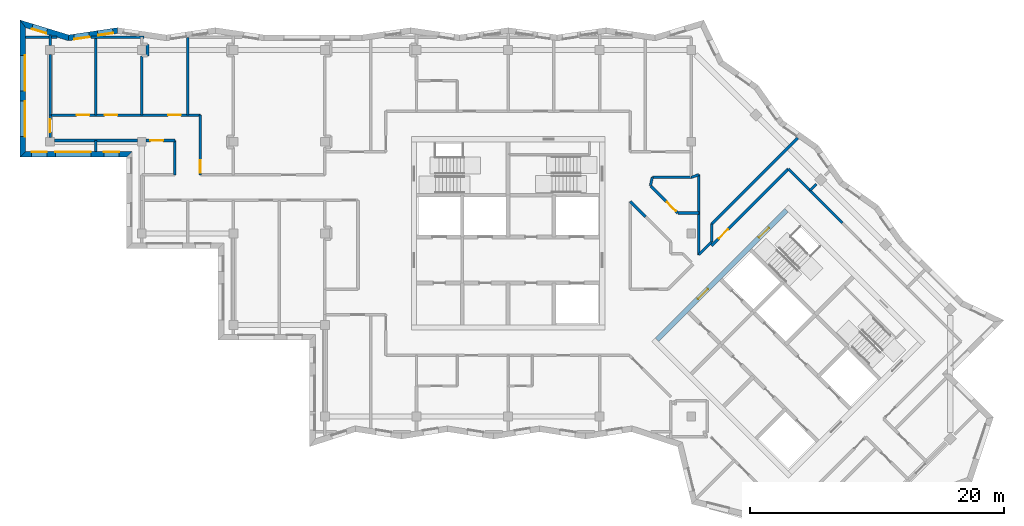
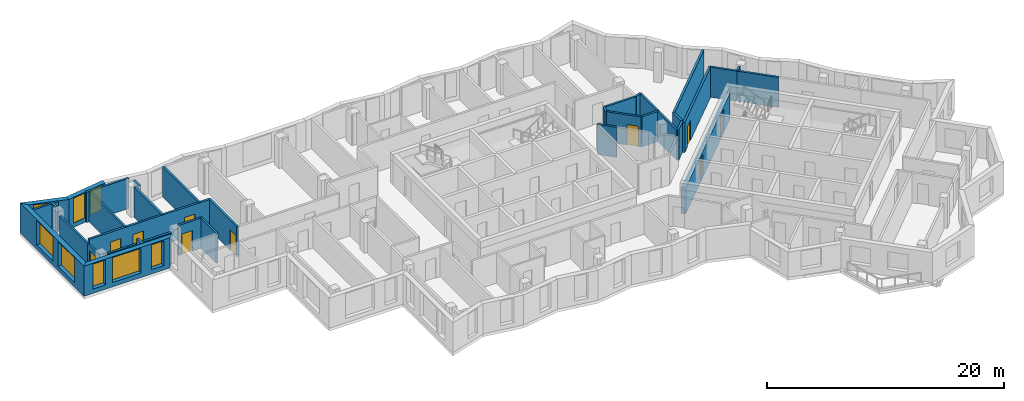
# One storey, part 5 of 12: 35 walls, 10 doors, 8 windows, 18 openings.
"""IFC4 building model written with IfcOpenShell, lengths in metres."""

from ifc_helpers import new_model, si_unit, direction, frame, frame_2d, origin, place, context, subcontext, project, spatial, polyline, rectangle, outline, extrude, material, layer, layer_set, type_object, element, fill, save


model = new_model("IFC4")

# Units and contexts
model_context = context("Model", 3, precision=1e-05, world=origin(), true_north=direction((0.0, 1.0)))
body_context = subcontext(model_context, "Body", "Model", "MODEL_VIEW")
ifc_project = project(units=[si_unit("LENGTHUNIT", "METRE"), si_unit("AREAUNIT", "SQUARE_METRE"), si_unit("VOLUMEUNIT", "CUBIC_METRE"), si_unit("PLANEANGLEUNIT", "RADIAN"), si_unit("MASSUNIT", "GRAM", prefix="KILO")], contexts=[model_context])

# Site, building, storey
site_placement = place(None, origin())
site = spatial("IfcSite", under=ifc_project, at=site_placement, CompositionType="ELEMENT")
building_placement = place(site_placement, origin())
building = spatial("IfcBuilding", under=site, at=building_placement, Name="Windrow Commons", CompositionType="ELEMENT")
storey_placement = place(building_placement, frame((0.0, 0.0, 274.4)))
storey = spatial("IfcBuildingStorey", under=building, at=storey_placement, Name="L75", CompositionType="ELEMENT", Elevation=274.4)

# Wall, openings, windows
ifc_material_1 = material(Name="Brick masonry, red clay brick", Category="masonry")
ifc_layer_1 = layer(ifc_material_1, 0.45)
ifc_layer_set_1 = layer_set([ifc_layer_1], Name="Brick facade wall 450")
wall_type_1 = type_object("IfcWallType", Name="Brick facade wall 450", PredefinedType="SOLIDWALL", material=ifc_layer_set_1)
wall_1_placement = place(storey_placement, frame((34.1072, 73.5445, 0.0), z_axis=(0.0, 0.0, 1.0), x_axis=(-0.9890865204, -0.1473358586, 0.0)))
wall_1 = element("IfcWall", 1, at=wall_1_placement, inside=storey, type_object=wall_type_1, Name="Brick facade wall L75 27", PredefinedType="SOLIDWALL", context=body_context, shape_type="SweptSolid", body=[
    extrude(outline(polyline([(-0.0335, -0.225), (3.8485, -0.225), (3.9501, 0.225), (0.0335, 0.225), (-0.0335, -0.225)])), origin(), (0.0, 0.0, 1.0), 3.1),
])
opening_1_placement = place(wall_1_placement, frame((0.3798, 0.0, 0.45)))
opening_1 = element("IfcOpeningElement", 2, at=opening_1_placement, cuts=wall_1, Name="Opening W7F", PredefinedType="OPENING", context=body_context, shape_type="SweptSolid", body=[
    extrude(rectangle(XDim=1.2, YDim=2.55, at=frame_2d((0.6, 1.275))), frame((0.0, 0.235, 0.0), z_axis=(0.0, -1.0, 0.0), x_axis=(1.0, 0.0, 0.0)), (0.0, 0.0, 1.0), 0.47),
])
opening_2_placement = place(wall_1_placement, frame((2.2627, 0.0, 0.45)))
opening_2 = element("IfcOpeningElement", 3, at=opening_2_placement, cuts=wall_1, Name="Opening W7F", PredefinedType="OPENING", context=body_context, shape_type="SweptSolid", body=[
    extrude(rectangle(XDim=1.2, YDim=2.55, at=frame_2d((0.6, 1.275))), frame((0.0, 0.235, 0.0), z_axis=(0.0, -1.0, 0.0), x_axis=(1.0, 0.0, 0.0)), (0.0, 0.0, 1.0), 0.47),
])
ifc_material_2 = material(Name="Clear float glass in anodised aluminium frame", Category="aluminium")
window_type_1 = type_object("IfcWindowType", Name="Window W7 notch 1200x2550", PartitioningType="SINGLE_PANEL", PredefinedType="WINDOW", material=ifc_material_2)
window_1_placement = place(opening_1_placement, origin())
window_1 = element("IfcWindow", 4, at=window_1_placement, inside=storey, type_object=window_type_1, Name="Window L75 27.1", OverallHeight=2.55, OverallWidth=1.2, PartitioningType="SINGLE_PANEL", PredefinedType="WINDOW", context=body_context, shape_type="SweptSolid", body=[
    extrude(rectangle(XDim=1.2, YDim=2.55, at=frame_2d((0.6, 1.275))), frame((0.0, 0.175, 0.0), z_axis=(0.0, -1.0, 0.0), x_axis=(1.0, 0.0, 0.0)), (0.0, 0.0, 1.0), 0.06),
])
fill(opening_1, window_1)
window_2_placement = place(opening_2_placement, origin())
window_2 = element("IfcWindow", 5, at=window_2_placement, inside=storey, type_object=window_type_1, Name="Window L75 27.2", OverallHeight=2.55, OverallWidth=1.2, PartitioningType="SINGLE_PANEL", PredefinedType="WINDOW", context=body_context, shape_type="SweptSolid", body=[
    extrude(rectangle(XDim=1.2, YDim=2.55, at=frame_2d((0.6, 1.275))), frame((0.0, 0.205, 0.0), z_axis=(0.0, -1.0, 0.0), x_axis=(1.0, 0.0, 0.0)), (0.0, 0.0, 1.0), 0.06),
])
fill(opening_2, window_2)

# Wall, opening, window
wall_2_placement = place(storey_placement, frame((30.2505, 72.97, 0.0), z_axis=(0.0, 0.0, 1.0), x_axis=(-0.9564359426, 0.2919422678, 0.0)))
wall_2 = element("IfcWall", 6, at=wall_2_placement, inside=storey, type_object=wall_type_1, Name="Brick facade wall L75 28", PredefinedType="SOLIDWALL", context=body_context, shape_type="SweptSolid", body=[
    extrude(outline(polyline([(0.0508, -0.225), (4.0653, -0.225), (3.4574, 0.225), (-0.0508, 0.225), (0.0508, -0.225)])), origin(), (0.0, 0.0, 1.0), 3.1),
])
opening_3_placement = place(wall_2_placement, frame((1.787, 0.0, 0.45)))
opening_3 = element("IfcOpeningElement", 7, at=opening_3_placement, cuts=wall_2, Name="Opening W7F", PredefinedType="OPENING", context=body_context, shape_type="SweptSolid", body=[
    extrude(rectangle(XDim=1.2, YDim=2.55, at=frame_2d((0.6, 1.275))), frame((0.0, 0.235, 0.0), z_axis=(0.0, -1.0, 0.0), x_axis=(1.0, 0.0, 0.0)), (0.0, 0.0, 1.0), 0.47),
])
window_3_placement = place(opening_3_placement, origin())
window_3 = element("IfcWindow", 8, at=window_3_placement, inside=storey, type_object=window_type_1, Name="Window L75 28.1", OverallHeight=2.55, OverallWidth=1.2, PartitioningType="SINGLE_PANEL", PredefinedType="WINDOW", context=body_context, shape_type="SweptSolid", body=[
    extrude(rectangle(XDim=1.2, YDim=2.55, at=frame_2d((0.6, 1.275))), frame((0.0, 0.205, 0.0), z_axis=(0.0, -1.0, 0.0), x_axis=(1.0, 0.0, 0.0)), (0.0, 0.0, 1.0), 0.06),
])
fill(opening_3, window_3)

# Wall, openings, windows
wall_3_placement = place(storey_placement, frame((26.653, 74.0681, 0.0), z_axis=(0.0, 0.0, 1.0), x_axis=(0.0, -1.0, 0.0)))
wall_3 = element("IfcWall", 9, at=wall_3_placement, inside=storey, type_object=wall_type_1, Name="Brick facade wall L75 29", PredefinedType="SOLIDWALL", context=body_context, shape_type="SweptSolid", body=[
    extrude(outline(polyline([(-0.3039, -0.225), (10.4681, -0.225), (10.0181, 0.225), (0.3039, 0.225), (-0.3039, -0.225)])), origin(), (0.0, 0.0, 1.0), 3.1),
])
opening_4_placement = place(wall_3_placement, frame((2.4681, 0.0, 0.45)))
opening_4 = element("IfcOpeningElement", 10, at=opening_4_placement, cuts=wall_3, Name="Opening W1V", PredefinedType="OPENING", context=body_context, shape_type="SweptSolid", body=[
    extrude(rectangle(XDim=2.8, YDim=2.55, at=frame_2d((1.4, 1.275))), frame((0.0, 0.235, 0.0), z_axis=(0.0, -1.0, 0.0), x_axis=(1.0, 0.0, 0.0)), (0.0, 0.0, 1.0), 0.47),
])
opening_5_placement = place(wall_3_placement, frame((6.0681, 0.0, 0.45)))
opening_5 = element("IfcOpeningElement", 11, at=opening_5_placement, cuts=wall_3, Name="Opening W1V", PredefinedType="OPENING", context=body_context, shape_type="SweptSolid", body=[
    extrude(rectangle(XDim=2.8, YDim=2.55, at=frame_2d((1.4, 1.275))), frame((0.0, 0.235, 0.0), z_axis=(0.0, -1.0, 0.0), x_axis=(1.0, 0.0, 0.0)), (0.0, 0.0, 1.0), 0.47),
])
ifc_material_3 = material(Name="Clear float glass in anodised aluminium frame", Category="aluminium")
window_type_2 = type_object("IfcWindowType", Name="Window W1V bedroom 2800x2550", PartitioningType="SINGLE_PANEL", PredefinedType="WINDOW", material=ifc_material_3)
window_4_placement = place(opening_4_placement, origin())
window_4 = element("IfcWindow", 12, at=window_4_placement, inside=storey, type_object=window_type_2, Name="Window L75 29.1", OverallHeight=2.55, OverallWidth=2.8, PartitioningType="SINGLE_PANEL", PredefinedType="WINDOW", context=body_context, shape_type="SweptSolid", body=[
    extrude(rectangle(XDim=2.8, YDim=2.55, at=frame_2d((1.4, 1.275))), frame((0.0, 0.205, 0.0), z_axis=(0.0, -1.0, 0.0), x_axis=(1.0, 0.0, 0.0)), (0.0, 0.0, 1.0), 0.06),
])
fill(opening_4, window_4)
window_5_placement = place(opening_5_placement, origin())
window_5 = element("IfcWindow", 13, at=window_5_placement, inside=storey, type_object=window_type_2, Name="Window L75 29.2", OverallHeight=2.55, OverallWidth=2.8, PartitioningType="SINGLE_PANEL", PredefinedType="WINDOW", context=body_context, shape_type="SweptSolid", body=[
    extrude(rectangle(XDim=2.8, YDim=2.55, at=frame_2d((1.4, 1.275))), frame((0.0, 0.205, 0.0), z_axis=(0.0, -1.0, 0.0), x_axis=(1.0, 0.0, 0.0)), (0.0, 0.0, 1.0), 0.06),
])
fill(opening_5, window_5)

wall_4_placement = place(storey_placement, frame((26.653, 63.825, 0.0), z_axis=(0.0, 0.0, 1.0), x_axis=(1.0, 0.0, 0.0)))
wall_4 = element("IfcWall", 14, at=wall_4_placement, inside=storey, type_object=wall_type_1, Name="Brick facade wall L75 30", PredefinedType="SOLIDWALL", context=body_context, shape_type="SweptSolid", body=[
    extrude(outline(polyline([(-0.225, -0.225), (8.147, -0.225), (8.597, 0.225), (0.225, 0.225), (-0.225, -0.225)])), origin(), (0.0, 0.0, 1.0), 3.1),
])
opening_6_placement = place(wall_4_placement, frame((2.547, 0.0, 0.45)))
opening_6 = element("IfcOpeningElement", 15, at=opening_6_placement, cuts=wall_4, Name="Opening W1V", PredefinedType="OPENING", context=body_context, shape_type="SweptSolid", body=[
    extrude(rectangle(XDim=2.8, YDim=2.55, at=frame_2d((1.4, 1.275))), frame((0.0, 0.235, 0.0), z_axis=(0.0, -1.0, 0.0), x_axis=(1.0, 0.0, 0.0)), (0.0, 0.0, 1.0), 0.47),
])
opening_7_placement = place(wall_4_placement, frame((0.686, 0.0, 0.45)))
opening_7 = element("IfcOpeningElement", 16, at=opening_7_placement, cuts=wall_4, Name="Opening W7F", PredefinedType="OPENING", context=body_context, shape_type="SweptSolid", body=[
    extrude(rectangle(XDim=1.2, YDim=2.55, at=frame_2d((0.6, 1.275))), frame((0.0, 0.235, 0.0), z_axis=(0.0, -1.0, 0.0), x_axis=(1.0, 0.0, 0.0)), (0.0, 0.0, 1.0), 0.47),
])
opening_8_placement = place(wall_4_placement, frame((6.3595, 0.0, 0.45)))
opening_8 = element("IfcOpeningElement", 17, at=opening_8_placement, cuts=wall_4, Name="Opening W7F", PredefinedType="OPENING", context=body_context, shape_type="SweptSolid", body=[
    extrude(rectangle(XDim=1.2, YDim=2.55, at=frame_2d((0.6, 1.275))), frame((0.0, 0.235, 0.0), z_axis=(0.0, -1.0, 0.0), x_axis=(1.0, 0.0, 0.0)), (0.0, 0.0, 1.0), 0.47),
])
window_6_placement = place(opening_6_placement, origin())
window_6 = element("IfcWindow", 18, at=window_6_placement, inside=storey, type_object=window_type_2, Name="Window L75 30.1", OverallHeight=2.55, OverallWidth=2.8, PartitioningType="SINGLE_PANEL", PredefinedType="WINDOW", context=body_context, shape_type="SweptSolid", body=[
    extrude(rectangle(XDim=2.8, YDim=2.55, at=frame_2d((1.4, 1.275))), frame((0.0, 0.205, 0.0), z_axis=(0.0, -1.0, 0.0), x_axis=(1.0, 0.0, 0.0)), (0.0, 0.0, 1.0), 0.06),
])
fill(opening_6, window_6)
window_7_placement = place(opening_7_placement, origin())
window_7 = element("IfcWindow", 19, at=window_7_placement, inside=storey, type_object=window_type_1, Name="Window L75 30.2", OverallHeight=2.55, OverallWidth=1.2, PartitioningType="SINGLE_PANEL", PredefinedType="WINDOW", context=body_context, shape_type="SweptSolid", body=[
    extrude(rectangle(XDim=1.2, YDim=2.55, at=frame_2d((0.6, 1.275))), frame((0.0, 0.205, 0.0), z_axis=(0.0, -1.0, 0.0), x_axis=(1.0, 0.0, 0.0)), (0.0, 0.0, 1.0), 0.06),
])
fill(opening_7, window_7)
window_8_placement = place(opening_8_placement, origin())
window_8 = element("IfcWindow", 20, at=window_8_placement, inside=storey, type_object=window_type_1, Name="Window L75 30.3", OverallHeight=2.55, OverallWidth=1.2, PartitioningType="SINGLE_PANEL", PredefinedType="WINDOW", context=body_context, shape_type="SweptSolid", body=[
    extrude(rectangle(XDim=1.2, YDim=2.55, at=frame_2d((0.6, 1.275))), frame((0.0, 0.205, 0.0), z_axis=(0.0, -1.0, 0.0), x_axis=(1.0, 0.0, 0.0)), (0.0, 0.0, 1.0), 0.06),
])
fill(opening_8, window_8)

# Wall, openings, doors
ifc_material_4 = material(Name="Blockwork partition", Category="masonry")
ifc_layer_2 = layer(ifc_material_4, 0.2)
ifc_layer_set_2 = layer_set([ifc_layer_2], Name="IW-CORRIDOR-200")
wall_type_2 = type_object("IfcWallType", Name="IW-CORRIDOR-200", PredefinedType="PARTITIONING", material=ifc_layer_set_2)
wall_5_placement = place(storey_placement, frame((28.8, 66.9, 0.0), z_axis=(0.0, 0.0, 1.0), x_axis=(1.0, 0.0, 0.0)))
wall_5 = element("IfcWall", 21, at=wall_5_placement, inside=storey, type_object=wall_type_2, Name="W-L75-W003", PredefinedType="PARTITIONING", context=body_context, shape_type="SweptSolid", body=[
    extrude(rectangle(XDim=11.8, YDim=0.2, at=frame_2d((5.9, 0.0))), origin(), (0.0, 0.0, 1.0), 3.1),
])
opening_9_placement = place(wall_5_placement, frame((2.075, 0.0, 0.0)))
opening_9 = element("IfcOpeningElement", 22, at=opening_9_placement, cuts=wall_5, Name="Opening D310F", PredefinedType="OPENING", context=body_context, shape_type="SweptSolid", body=[
    extrude(rectangle(XDim=1.0, YDim=2.1, at=frame_2d((0.5, 1.05))), frame((0.0, 0.11, 0.0), z_axis=(0.0, -1.0, 0.0), x_axis=(1.0, 0.0, 0.0)), (0.0, 0.0, 1.0), 0.22),
])
opening_10_placement = place(wall_5_placement, frame((9.275, 0.0, 0.0)))
opening_10 = element("IfcOpeningElement", 23, at=opening_10_placement, cuts=wall_5, Name="Opening D310F", PredefinedType="OPENING", context=body_context, shape_type="SweptSolid", body=[
    extrude(rectangle(XDim=1.0, YDim=2.1, at=frame_2d((0.5, 1.05))), frame((0.0, 0.11, 0.0), z_axis=(0.0, -1.0, 0.0), x_axis=(1.0, 0.0, 0.0)), (0.0, 0.0, 1.0), 0.22),
])
opening_11_placement = place(wall_5_placement, frame((4.28, 0.0, 0.0)))
opening_11 = element("IfcOpeningElement", 24, at=opening_11_placement, cuts=wall_5, Name="Opening D310F", PredefinedType="OPENING", context=body_context, shape_type="SweptSolid", body=[
    extrude(rectangle(XDim=1.0, YDim=2.1, at=frame_2d((0.5, 1.05))), frame((0.0, 0.11, 0.0), z_axis=(0.0, -1.0, 0.0), x_axis=(1.0, 0.0, 0.0)), (0.0, 0.0, 1.0), 0.22),
])
ifc_material_5 = material(Name="Timber door leaf", Category="wood")
door_type_1 = type_object("IfcDoorType", Name="DT-AMENITY-1000", OperationType="SINGLE_SWING_LEFT", PredefinedType="DOOR", material=ifc_material_5)
door_1_placement = place(opening_9_placement, origin())
door_1 = element("IfcDoor", 25, at=door_1_placement, inside=storey, type_object=door_type_1, Name="D-L75-D007", OperationType="SINGLE_SWING_RIGHT", OverallHeight=2.1, OverallWidth=1.0, PredefinedType="DOOR", context=body_context, shape_type="SweptSolid", body=[
    extrude(rectangle(XDim=1.0, YDim=2.1, at=frame_2d((0.5, 1.05))), frame((0.0, 0.025, 0.0), z_axis=(0.0, -1.0, 0.0), x_axis=(1.0, 0.0, 0.0)), (0.0, 0.0, 1.0), 0.05),
])
fill(opening_9, door_1)
door_2_placement = place(opening_10_placement, origin())
door_2 = element("IfcDoor", 26, at=door_2_placement, inside=storey, type_object=door_type_1, Name="D-L75-D008", OperationType="SINGLE_SWING_RIGHT", OverallHeight=2.1, OverallWidth=1.0, PredefinedType="DOOR", context=body_context, shape_type="SweptSolid", body=[
    extrude(rectangle(XDim=1.0, YDim=2.1, at=frame_2d((0.5, 1.05))), frame((0.0, 0.025, 0.0), z_axis=(0.0, -1.0, 0.0), x_axis=(1.0, 0.0, 0.0)), (0.0, 0.0, 1.0), 0.05),
])
fill(opening_10, door_2)
door_3_placement = place(opening_11_placement, origin())
door_3 = element("IfcDoor", 27, at=door_3_placement, inside=storey, type_object=door_type_1, Name="D-L75-D014", OperationType="SINGLE_SWING_LEFT", OverallHeight=2.1, OverallWidth=1.0, PredefinedType="DOOR", context=body_context, shape_type="SweptSolid", body=[
    extrude(rectangle(XDim=1.0, YDim=2.1, at=frame_2d((0.5, 1.05))), frame((0.0, 0.025, 0.0), z_axis=(0.0, -1.0, 0.0), x_axis=(1.0, 0.0, 0.0)), (0.0, 0.0, 1.0), 0.05),
])
fill(opening_11, door_3)

# Wall, opening, door
wall_6_placement = place(storey_placement, frame((80.8015, 56.6325, 0.0), z_axis=(0.0, 0.0, 1.0), x_axis=(0.7071067812, 0.7071067812, 0.0)))
wall_6 = element("IfcWall", 28, at=wall_6_placement, inside=storey, type_object=wall_type_2, Name="W-L75-W014", PredefinedType="PARTITIONING", context=body_context, shape_type="SweptSolid", body=[
    extrude(rectangle(XDim=8.5334, YDim=0.2, at=frame_2d((4.2667, 0.0))), origin(), (0.0, 0.0, 1.0), 3.1),
])
opening_12_placement = place(wall_6_placement, frame((0.8172, 0.0, 0.0)))
opening_12 = element("IfcOpeningElement", 29, at=opening_12_placement, cuts=wall_6, Name="Opening D310F", PredefinedType="OPENING", context=body_context, shape_type="SweptSolid", body=[
    extrude(rectangle(XDim=1.0, YDim=2.1, at=frame_2d((0.5, 1.05))), frame((0.0, 0.11, 0.0), z_axis=(0.0, -1.0, 0.0), x_axis=(1.0, 0.0, 0.0)), (0.0, 0.0, 1.0), 0.22),
])
door_4_placement = place(opening_12_placement, origin())
door_4 = element("IfcDoor", 30, at=door_4_placement, inside=storey, type_object=door_type_1, Name="D-L75-D029", OperationType="SINGLE_SWING_RIGHT", OverallHeight=2.1, OverallWidth=1.0, PredefinedType="DOOR", context=body_context, shape_type="SweptSolid", body=[
    extrude(rectangle(XDim=1.0, YDim=2.1, at=frame_2d((0.5, 1.05))), frame((0.0, 0.025, 0.0), z_axis=(0.0, -1.0, 0.0), x_axis=(1.0, 0.0, 0.0)), (0.0, 0.0, 1.0), 0.05),
])
fill(opening_12, door_4)

# Wall
wall_7_placement = place(storey_placement, frame((29.15, 64.9, 0.0), z_axis=(0.0, 0.0, 1.0), x_axis=(1.0, 0.0, 0.0)))
element("IfcWall", 31, at=wall_7_placement, inside=storey, type_object=wall_type_2, Name="W-L75-W018", PredefinedType="PARTITIONING", context=body_context, shape_type="SweptSolid", body=[
    extrude(rectangle(XDim=6.5, YDim=0.2, at=frame_2d((3.25, 0.0))), origin(), (0.0, 0.0, 1.0), 2.6),
])

# Wall, opening, door
wall_8_placement = place(storey_placement, frame((40.6, 62.202, 0.0), z_axis=(0.0, 0.0, 1.0), x_axis=(0.0, 1.0, 0.0)))
wall_8 = element("IfcWall", 32, at=wall_8_placement, inside=storey, type_object=wall_type_2, Name="W-L75-W036", PredefinedType="PARTITIONING", context=body_context, shape_type="SweptSolid", body=[
    extrude(rectangle(XDim=4.698, YDim=0.2, at=frame_2d((2.349, 0.0))), origin(), (0.0, 0.0, 1.0), 3.1),
])
opening_13_placement = place(wall_8_placement, frame((0.1459, 0.0, 0.0)))
opening_13 = element("IfcOpeningElement", 33, at=opening_13_placement, cuts=wall_8, Name="Opening D310F", PredefinedType="OPENING", context=body_context, shape_type="SweptSolid", body=[
    extrude(rectangle(XDim=1.0, YDim=2.1, at=frame_2d((0.5, 1.05))), frame((0.0, 0.11, 0.0), z_axis=(0.0, -1.0, 0.0), x_axis=(1.0, 0.0, 0.0)), (0.0, 0.0, 1.0), 0.22),
])
door_5_placement = place(opening_13_placement, origin())
door_5 = element("IfcDoor", 34, at=door_5_placement, inside=storey, type_object=door_type_1, Name="D-L75-D018", OperationType="SINGLE_SWING_LEFT", OverallHeight=2.1, OverallWidth=1.0, PredefinedType="DOOR", context=body_context, shape_type="SweptSolid", body=[
    extrude(rectangle(XDim=1.0, YDim=2.1, at=frame_2d((0.5, 1.05))), frame((0.0, 0.025, 0.0), z_axis=(0.0, -1.0, 0.0), x_axis=(1.0, 0.0, 0.0)), (0.0, 0.0, 1.0), 0.05),
])
fill(opening_13, door_5)

# Walls
wall_9_placement = place(storey_placement, frame((88.5373, 60.9733, 0.0), z_axis=(0.0, 0.0, 1.0), x_axis=(0.7071067812, -0.7071067812, 0.0)))
element("IfcWall", 35, at=wall_9_placement, inside=storey, type_object=wall_type_2, Name="W-L75-W049", PredefinedType="PARTITIONING", context=body_context, shape_type="SweptSolid", body=[
    extrude(rectangle(XDim=3.6006, YDim=0.2, at=frame_2d((1.8003, 0.0))), origin(), (0.0, 0.0, 1.0), 3.1),
])
wall_10_placement = place(storey_placement, frame((79.8, 55.914, 0.0), z_axis=(0.0, 0.0, 1.0), x_axis=(0.0, 1.0, 0.0)))
element("IfcWall", 36, at=wall_10_placement, inside=storey, type_object=wall_type_2, Name="W-L75-W051", PredefinedType="PARTITIONING", context=body_context, shape_type="SweptSolid", body=[
    extrude(rectangle(XDim=3.286, YDim=0.2, at=frame_2d((1.643, 0.0))), origin(), (0.0, 0.0, 1.0), 3.1),
])
wall_11_placement = place(storey_placement, frame((76.15, 62.0, 0.0), z_axis=(0.0, 0.0, 1.0), x_axis=(1.0, 0.0, 0.0)))
element("IfcWall", 37, at=wall_11_placement, inside=storey, type_object=wall_type_2, Name="W-L75-W058", PredefinedType="PARTITIONING", context=body_context, shape_type="SweptSolid", body=[
    extrude(rectangle(XDim=3.05, YDim=0.2, at=frame_2d((1.525, 0.0))), origin(), (0.0, 0.0, 1.0), 3.1),
])

# Wall, opening, door
wall_12_placement = place(storey_placement, frame((76.0091, 61.3251, 0.0), z_axis=(0.0, 0.0, 1.0), x_axis=(0.7071067812, -0.7071067812, 0.0)))
wall_12 = element("IfcWall", 38, at=wall_12_placement, inside=storey, type_object=wall_type_2, Name="W-L75-W060", PredefinedType="PARTITIONING", context=body_context, shape_type="SweptSolid", body=[
    extrude(rectangle(XDim=3.0066, YDim=0.2, at=frame_2d((1.5033, 0.0))), origin(), (0.0, 0.0, 1.0), 3.1),
])
opening_14_placement = place(wall_12_placement, frame((1.8042, 0.0, 0.0)))
opening_14 = element("IfcOpeningElement", 39, at=opening_14_placement, cuts=wall_12, Name="Opening D410F", PredefinedType="OPENING", context=body_context, shape_type="SweptSolid", body=[
    extrude(rectangle(XDim=1.0, YDim=2.1, at=frame_2d((0.5, 1.05))), frame((0.0, 0.11, 0.0), z_axis=(0.0, -1.0, 0.0), x_axis=(1.0, 0.0, 0.0)), (0.0, 0.0, 1.0), 0.22),
])
ifc_material_6 = material(Name="Timber door leaf", Category="wood")
door_type_2 = type_object("IfcDoorType", Name="DT-SERVICE-1000", OperationType="SINGLE_SWING_LEFT", PredefinedType="DOOR", material=ifc_material_6)
door_6_placement = place(opening_14_placement, origin())
door_6 = element("IfcDoor", 40, at=door_6_placement, inside=storey, type_object=door_type_2, Name="D-L75-D028", OperationType="SINGLE_SWING_LEFT", OverallHeight=2.1, OverallWidth=1.0, PredefinedType="DOOR", context=body_context, shape_type="SweptSolid", body=[
    extrude(rectangle(XDim=1.0, YDim=2.1, at=frame_2d((0.5, 1.05))), frame((0.0, 0.025, 0.0), z_axis=(0.0, -1.0, 0.0), x_axis=(1.0, 0.0, 0.0)), (0.0, 0.0, 1.0), 0.05),
])
fill(opening_14, door_6)

# Walls
wall_13_placement = place(storey_placement, frame((38.6, 62.202, 0.0), z_axis=(0.0, 0.0, 1.0), x_axis=(0.0, 1.0, 0.0)))
element("IfcWall", 41, at=wall_13_placement, inside=storey, type_object=wall_type_2, Name="W-L75-W065", PredefinedType="PARTITIONING", context=body_context, shape_type="SweptSolid", body=[
    extrude(rectangle(XDim=2.698, YDim=0.2, at=frame_2d((1.349, 0.0))), origin(), (0.0, 0.0, 1.0), 3.1),
])
wall_14_placement = place(storey_placement, frame((86.8333, 62.6633, 0.0), z_axis=(0.0, 0.0, 1.0), x_axis=(0.7075233388, -0.706689978, 0.0)))
element("IfcWall", 42, at=wall_14_placement, inside=storey, type_object=wall_type_2, Name="W-L75-W078", PredefinedType="PARTITIONING", context=body_context, shape_type="SweptSolid", body=[
    extrude(rectangle(XDim=2.3999, YDim=0.2, at=frame_2d((1.2, 0.0))), origin(), (0.0, 0.0, 1.0), 3.1),
])

# Wall, opening, door
wall_15_placement = place(storey_placement, frame((36.35, 64.9, 0.0), z_axis=(0.0, 0.0, 1.0), x_axis=(1.0, 0.0, 0.0)))
wall_15 = element("IfcWall", 43, at=wall_15_placement, inside=storey, type_object=wall_type_2, Name="W-L75-W079", PredefinedType="PARTITIONING", context=body_context, shape_type="SweptSolid", body=[
    extrude(rectangle(XDim=2.25, YDim=0.2, at=frame_2d((1.125, 0.0))), origin(), (0.0, 0.0, 1.0), 3.1),
])
opening_15_placement = place(wall_15_placement, frame((0.3325, 0.0, 0.0)))
opening_15 = element("IfcOpeningElement", 44, at=opening_15_placement, cuts=wall_15, Name="Opening D310F", PredefinedType="OPENING", context=body_context, shape_type="SweptSolid", body=[
    extrude(rectangle(XDim=1.0, YDim=2.1, at=frame_2d((0.5, 1.05))), frame((0.0, 0.11, 0.0), z_axis=(0.0, -1.0, 0.0), x_axis=(1.0, 0.0, 0.0)), (0.0, 0.0, 1.0), 0.22),
])
door_7_placement = place(opening_15_placement, origin())
door_7 = element("IfcDoor", 45, at=door_7_placement, inside=storey, type_object=door_type_1, Name="D-L75-D013", OperationType="SINGLE_SWING_RIGHT", OverallHeight=2.1, OverallWidth=1.0, PredefinedType="DOOR", context=body_context, shape_type="SweptSolid", body=[
    extrude(rectangle(XDim=1.0, YDim=2.1, at=frame_2d((0.5, 1.05))), frame((0.0, 0.025, 0.0), z_axis=(0.0, -1.0, 0.0), x_axis=(1.0, 0.0, 0.0)), (0.0, 0.0, 1.0), 0.05),
])
fill(opening_15, door_7)

wall_16_placement = place(storey_placement, frame((28.8, 65.15, 0.0), z_axis=(0.0, 0.0, 1.0), x_axis=(0.0, 1.0, 0.0)))
wall_16 = element("IfcWall", 46, at=wall_16_placement, inside=storey, type_object=wall_type_2, Name="W-L75-W097", PredefinedType="PARTITIONING", context=body_context, shape_type="SweptSolid", body=[
    extrude(rectangle(XDim=1.75, YDim=0.2, at=frame_2d((0.875, 0.0))), origin(), (0.0, 0.0, 1.0), 2.6),
])
opening_16_placement = place(wall_16_placement, frame((0.4069, 0.0, 0.0)))
opening_16 = element("IfcOpeningElement", 47, at=opening_16_placement, cuts=wall_16, Name="Opening D310F", PredefinedType="OPENING", context=body_context, shape_type="SweptSolid", body=[
    extrude(rectangle(XDim=1.0, YDim=2.1, at=frame_2d((0.5, 1.05))), frame((0.0, 0.11, 0.0), z_axis=(0.0, -1.0, 0.0), x_axis=(1.0, 0.0, 0.0)), (0.0, 0.0, 1.0), 0.22),
])
door_8_placement = place(opening_16_placement, origin())
door_8 = element("IfcDoor", 48, at=door_8_placement, inside=storey, type_object=door_type_1, Name="D-L75-D002", OperationType="SINGLE_SWING_LEFT", OverallHeight=2.1, OverallWidth=1.0, PredefinedType="DOOR", context=body_context, shape_type="SweptSolid", body=[
    extrude(rectangle(XDim=1.0, YDim=2.1, at=frame_2d((0.5, 1.05))), frame((0.0, 0.025, 0.0), z_axis=(0.0, -1.0, 0.0), x_axis=(1.0, 0.0, 0.0)), (0.0, 0.0, 1.0), 0.05),
])
fill(opening_16, door_8)

# Walls
wall_17_placement = place(storey_placement, frame((74.3989, 60.1069, 0.0), z_axis=(0.0, 0.0, 1.0), x_axis=(0.7071067812, -0.7071067812, 0.0)))
element("IfcWall", 49, at=wall_17_placement, inside=storey, type_object=wall_type_2, Name="W-L75-W098", PredefinedType="PARTITIONING", context=body_context, shape_type="SweptSolid", body=[
    extrude(rectangle(XDim=1.6942, YDim=0.2, at=frame_2d((0.8471, 0.0))), origin(), (0.0, 0.0, 1.0), 3.1),
])
wall_18_placement = place(storey_placement, frame((78.144, 59.2, 0.0), z_axis=(0.0, 0.0, 1.0), x_axis=(1.0, 0.0, 0.0)))
element("IfcWall", 50, at=wall_18_placement, inside=storey, type_object=wall_type_2, Name="W-L75-W099", PredefinedType="PARTITIONING", context=body_context, shape_type="SweptSolid", body=[
    extrude(rectangle(XDim=1.656, YDim=0.2, at=frame_2d((0.828, 0.0))), origin(), (0.0, 0.0, 1.0), 3.1),
])
wall_19_placement = place(storey_placement, frame((79.801, 55.915, 0.0), z_axis=(0.0, 0.0, 1.0), x_axis=(0.7071067812, 0.7071067812, 0.0)))
element("IfcWall", 51, at=wall_19_placement, inside=storey, type_object=wall_type_2, Name="W-L75-W103", PredefinedType="PARTITIONING", context=body_context, shape_type="SweptSolid", body=[
    extrude(rectangle(XDim=1.4114, YDim=0.2, at=frame_2d((0.7057, 0.0))), origin(), (0.0, 0.0, 1.0), 3.1),
])
wall_20_placement = place(storey_placement, frame((75.9889, 61.3518, 0.0), z_axis=(0.0, 0.0, 1.0), x_axis=(0.2283693435, 0.9735745698, 0.0)))
element("IfcWall", 52, at=wall_20_placement, inside=storey, type_object=wall_type_2, Name="W-L75-W124", PredefinedType="PARTITIONING", context=body_context, shape_type="SweptSolid", body=[
    extrude(rectangle(XDim=0.6656, YDim=0.2, at=frame_2d((0.3328, 0.0))), origin(), (0.0, 0.0, 1.0), 3.1),
])
ifc_material_7 = material(Name="Blockwork partition", Category="masonry")
ifc_layer_3 = layer(ifc_material_7, 0.2)
ifc_layer_set_3 = layer_set([ifc_layer_3], Name="IW-PARTY-200")
wall_type_3 = type_object("IfcWallType", Name="IW-PARTY-200", PredefinedType="PARTITIONING", material=ifc_layer_set_3)
wall_21_placement = place(storey_placement, frame((80.8027, 58.3233, 0.0), z_axis=(0.0, 0.0, 1.0), x_axis=(0.7070024374, 0.7072111096, 0.0)))
element("IfcWall", 53, at=wall_21_placement, inside=storey, type_object=wall_type_3, Name="W-L75-W007", PredefinedType="PARTITIONING", context=body_context, shape_type="SweptSolid", body=[
    extrude(rectangle(XDim=9.5844, YDim=0.2, at=frame_2d((4.7922, 0.0))), origin(), (0.0, 0.0, 1.0), 3.1),
])
wall_22_placement = place(storey_placement, frame((32.4, 66.9, 0.0), z_axis=(0.0, 0.0, 1.0), x_axis=(0.0, 1.0, 0.0)))
element("IfcWall", 54, at=wall_22_placement, inside=storey, type_object=wall_type_3, Name="W-L75-W025", PredefinedType="PARTITIONING", context=body_context, shape_type="SweptSolid", body=[
    extrude(rectangle(XDim=6.1627, YDim=0.2, at=frame_2d((3.0814, 0.0))), origin(), (0.0, 0.0, 1.0), 3.1),
])
wall_23_placement = place(storey_placement, frame((39.6, 66.9, 0.0), z_axis=(0.0, 0.0, 1.0), x_axis=(0.0, 1.0, 0.0)))
element("IfcWall", 55, at=wall_23_placement, inside=storey, type_object=wall_type_3, Name="W-L75-W026", PredefinedType="PARTITIONING", context=body_context, shape_type="SweptSolid", body=[
    extrude(rectangle(XDim=6.0913, YDim=0.2, at=frame_2d((3.0457, 0.0))), origin(), (0.0, 0.0, 1.0), 3.1),
])
wall_24_placement = place(storey_placement, frame((28.8, 66.9, 0.0), z_axis=(0.0, 0.0, 1.0), x_axis=(0.0, 1.0, 0.0)))
element("IfcWall", 56, at=wall_24_placement, inside=storey, type_object=wall_type_3, Name="W-L75-W035", PredefinedType="PARTITIONING", context=body_context, shape_type="SweptSolid", body=[
    extrude(rectangle(XDim=4.75, YDim=0.2, at=frame_2d((2.375, 0.0))), origin(), (0.0, 0.0, 1.0), 2.6),
])
wall_25_placement = place(storey_placement, frame((36.0, 66.9, 0.0), z_axis=(0.0, 0.0, 1.0), x_axis=(0.0, 1.0, 0.0)))
element("IfcWall", 57, at=wall_25_placement, inside=storey, type_object=wall_type_3, Name="W-L75-W037", PredefinedType="PARTITIONING", context=body_context, shape_type="SweptSolid", body=[
    extrude(rectangle(XDim=4.646, YDim=0.2, at=frame_2d((2.323, 0.0))), origin(), (0.0, 0.0, 1.0), 3.1),
])
wall_26_placement = place(storey_placement, frame((32.0291, 73.0, 0.0), z_axis=(0.0, 0.0, 1.0), x_axis=(1.0, 0.0, 0.0)))
element("IfcWall", 58, at=wall_26_placement, inside=storey, type_object=wall_type_3, Name="W-L75-W043", PredefinedType="PARTITIONING", context=body_context, shape_type="SweptSolid", body=[
    extrude(rectangle(XDim=4.1562, YDim=0.2, at=frame_2d((2.0781, 0.0))), origin(), (0.0, 0.0, 1.0), 3.1),
])
wall_27_placement = place(storey_placement, frame((79.8, 59.2, 0.0), z_axis=(0.0, 0.0, 1.0), x_axis=(0.0, 1.0, 0.0)))
element("IfcWall", 59, at=wall_27_placement, inside=storey, type_object=wall_type_3, Name="W-L75-W059", PredefinedType="PARTITIONING", context=body_context, shape_type="SweptSolid", body=[
    extrude(rectangle(XDim=3.014, YDim=0.2, at=frame_2d((1.507, 0.0))), origin(), (0.0, 0.0, 1.0), 3.1),
])
wall_28_placement = place(storey_placement, frame((26.878, 73.0, 0.0), z_axis=(0.0, 0.0, 1.0), x_axis=(1.0, 0.0, 0.0)))
element("IfcWall", 60, at=wall_28_placement, inside=storey, type_object=wall_type_3, Name="W-L75-W071", PredefinedType="PARTITIONING", context=body_context, shape_type="SweptSolid", body=[
    extrude(rectangle(XDim=2.4534, YDim=0.2, at=frame_2d((1.2267, 0.0))), origin(), (0.0, 0.0, 1.0), 3.1),
])
wall_29_placement = place(storey_placement, frame((80.8, 56.912, 0.0), z_axis=(0.0, 0.0, 1.0), x_axis=(0.0, 1.0, 0.0)))
element("IfcWall", 61, at=wall_29_placement, inside=storey, type_object=wall_type_3, Name="W-L75-W102", PredefinedType="PARTITIONING", context=body_context, shape_type="SweptSolid", body=[
    extrude(rectangle(XDim=1.414, YDim=0.2, at=frame_2d((0.707, 0.0))), origin(), (0.0, 0.0, 1.0), 3.1),
])
wall_30_placement = place(storey_placement, frame((36.45, 71.546, 0.0), z_axis=(0.0, 0.0, 1.0), x_axis=(0.0, 1.0, 0.0)))
element("IfcWall", 62, at=wall_30_placement, inside=storey, type_object=wall_type_3, Name="W-L75-W111", PredefinedType="PARTITIONING", context=body_context, shape_type="SweptSolid", body=[
    extrude(rectangle(XDim=0.908, YDim=0.2, at=frame_2d((0.454, 0.0))), origin(), (0.0, 0.0, 1.0), 3.1),
])
wall_31_placement = place(storey_placement, frame((32.4, 64.05, 0.0), z_axis=(0.0, 0.0, 1.0), x_axis=(0.0, 1.0, 0.0)))
element("IfcWall", 63, at=wall_31_placement, inside=storey, type_object=wall_type_3, Name="W-L75-W118", PredefinedType="PARTITIONING", context=body_context, shape_type="SweptSolid", body=[
    extrude(rectangle(XDim=0.85, YDim=0.2, at=frame_2d((0.425, 0.0))), origin(), (0.0, 0.0, 1.0), 3.1),
])
wall_32_placement = place(storey_placement, frame((88.5335, 60.9705, 0.0), z_axis=(0.0, 0.0, 1.0), x_axis=(0.7071067812, 0.7071067812, 0.0)))
element("IfcWall", 64, at=wall_32_placement, inside=storey, type_object=wall_type_3, Name="W-L75-W123", PredefinedType="PARTITIONING", context=body_context, shape_type="SweptSolid", body=[
    extrude(rectangle(XDim=0.7043, YDim=0.2, at=frame_2d((0.3522, 0.0))), origin(), (0.0, 0.0, 1.0), 3.1),
])
wall_33_placement = place(storey_placement, frame((28.8, 72.35, 0.0), z_axis=(0.0, 0.0, 1.0), x_axis=(0.0, 1.0, 0.0)))
element("IfcWall", 65, at=wall_33_placement, inside=storey, type_object=wall_type_3, Name="W-L75-W125", PredefinedType="PARTITIONING", context=body_context, shape_type="SweptSolid", body=[
    extrude(rectangle(XDim=0.8275, YDim=0.2, at=frame_2d((0.4138, 0.0))), origin(), (0.0, 0.0, 1.0), 3.1),
])
wall_34_placement = place(storey_placement, frame((79.2002, 61.9996, 0.0), z_axis=(0.0, 0.0, 1.0), x_axis=(0.9418838915, 0.335938588, 0.0)))
element("IfcWall", 66, at=wall_34_placement, inside=storey, type_object=wall_type_3, Name="W-L75-W129", PredefinedType="PARTITIONING", context=body_context, shape_type="SweptSolid", body=[
    extrude(rectangle(XDim=0.637, YDim=0.2, at=frame_2d((0.3185, 0.0))), origin(), (0.0, 0.0, 1.0), 3.1),
])

# Wall, openings, doors
ifc_material_8 = material(Name="Concrete C40/50", Category="concrete")
ifc_layer_4 = layer(ifc_material_8, 0.4)
ifc_layer_set_4 = layer_set([ifc_layer_4], Name="RC CORE WALL 400 C40/50")
wall_type_4 = type_object("IfcWallType", Name="RC CORE WALL 400 C40/50", PredefinedType="SHEAR", material=ifc_layer_set_4)
wall_35_placement = place(storey_placement, frame((76.513, 49.2312, -0.3), z_axis=(0.0, 0.0, 1.0), x_axis=(0.7071067812, 0.7071067812, 0.0)))
wall_35 = element("IfcWall", 67, at=wall_35_placement, inside=storey, type_object=wall_type_4, Name="Core B wall outer-W", PredefinedType="SHEAR", context=body_context, shape_type="SweptSolid", body=[
    extrude(rectangle(XDim=14.3999, YDim=0.4, at=frame_2d((7.2, 0.0))), origin(), (0.0, 0.0, 1.0), 2.7),
])
opening_17_placement = place(wall_35_placement, frame((4.55, 0.0, 0.3)))
opening_17 = element("IfcOpeningElement", 68, at=opening_17_placement, cuts=wall_35, Name="Opening D6", PredefinedType="OPENING", context=body_context, shape_type="SweptSolid", body=[
    extrude(rectangle(XDim=1.1, YDim=2.1, at=frame_2d((0.55, 1.05))), frame((0.0, 0.21, 0.0), z_axis=(0.0, -1.0, 0.0), x_axis=(1.0, 0.0, 0.0)), (0.0, 0.0, 1.0), 0.42),
])
opening_18_placement = place(wall_35_placement, frame((11.35, 0.0, 0.3)))
opening_18 = element("IfcOpeningElement", 69, at=opening_18_placement, cuts=wall_35, Name="Opening D7", PredefinedType="OPENING", context=body_context, shape_type="SweptSolid", body=[
    extrude(rectangle(XDim=1.1, YDim=2.1, at=frame_2d((0.55, 1.05))), frame((0.0, 0.21, 0.0), z_axis=(0.0, -1.0, 0.0), x_axis=(1.0, 0.0, 0.0)), (0.0, 0.0, 1.0), 0.42),
])
ifc_material_9 = material(Name="Steel fire door leaf", Category="steel")
door_type_3 = type_object("IfcDoorType", Name="Core lobby door 1100", OperationType="SINGLE_SWING_LEFT", PredefinedType="DOOR", material=ifc_material_9)
door_9_placement = place(opening_17_placement, origin())
door_9 = element("IfcDoor", 70, at=door_9_placement, inside=storey, type_object=door_type_3, Name="Lift lobby door", OperationType="DOUBLE_DOOR_SINGLE_SWING", OverallHeight=2.1, OverallWidth=1.1, PredefinedType="DOOR", context=body_context, shape_type="SweptSolid", body=[
    extrude(rectangle(XDim=1.1, YDim=2.1, at=frame_2d((0.55, 1.05))), frame((0.0, 0.025, 0.0), z_axis=(0.0, -1.0, 0.0), x_axis=(1.0, 0.0, 0.0)), (0.0, 0.0, 1.0), 0.05),
])
fill(opening_17, door_9)
ifc_material_10 = material(Name="Steel fire door leaf", Category="steel")
door_type_4 = type_object("IfcDoorType", Name="Stair door 1100", OperationType="SINGLE_SWING_LEFT", PredefinedType="DOOR", material=ifc_material_10)
door_10_placement = place(opening_18_placement, origin())
door_10 = element("IfcDoor", 71, at=door_10_placement, inside=storey, type_object=door_type_4, Name="Stair door", OperationType="SINGLE_SWING_LEFT", OverallHeight=2.1, OverallWidth=1.1, PredefinedType="DOOR", context=body_context, shape_type="SweptSolid", body=[
    extrude(rectangle(XDim=1.1, YDim=2.1, at=frame_2d((0.55, 1.05))), frame((0.0, 0.025, 0.0), z_axis=(0.0, -1.0, 0.0), x_axis=(1.0, 0.0, 0.0)), (0.0, 0.0, 1.0), 0.05),
])
fill(opening_18, door_10)

save(model, "model.ifc")
